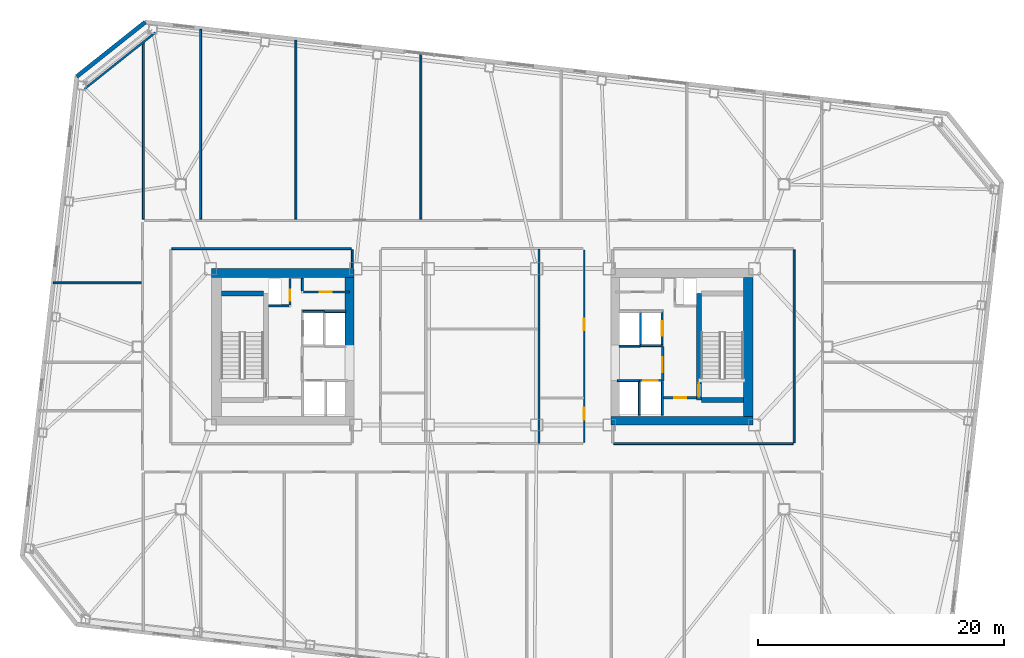
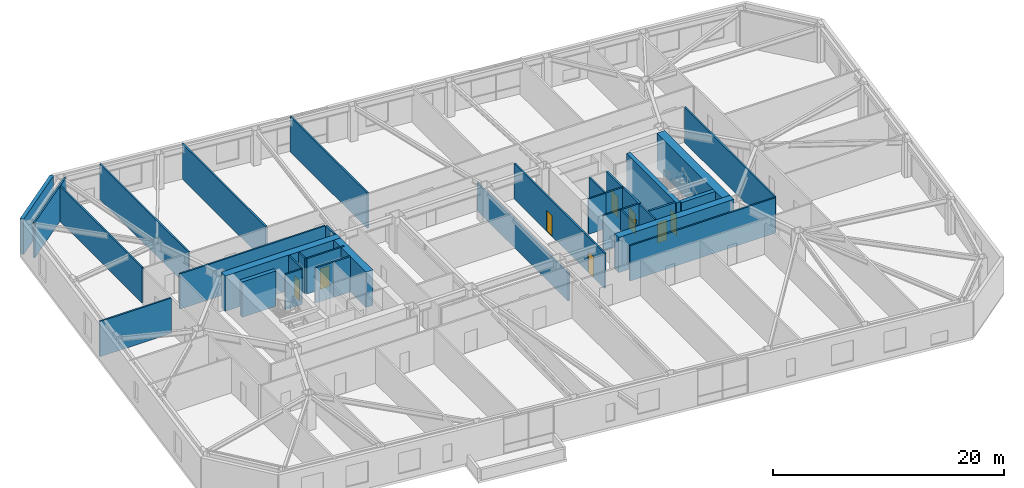
# One storey, part 13 of 20: 36 walls, 9 doors, 9 openings.
"""IFC4 building model written with IfcOpenShell, lengths in metres."""

from ifc_helpers import new_model, si_unit, direction, frame, frame_2d, origin, place, context, subcontext, project, spatial, rectangle, extrude, material, layer, layer_set, type_object, element, fill, save


model = new_model("IFC4")

# Units and contexts
model_context = context("Model", 3, precision=1e-05, world=origin(), true_north=direction((0.0, 1.0)))
body_context = subcontext(model_context, "Body", "Model", "MODEL_VIEW")
ifc_project = project(units=[si_unit("LENGTHUNIT", "METRE"), si_unit("AREAUNIT", "SQUARE_METRE"), si_unit("VOLUMEUNIT", "CUBIC_METRE"), si_unit("PLANEANGLEUNIT", "RADIAN"), si_unit("MASSUNIT", "GRAM", prefix="KILO")], contexts=[model_context])

# Site, building, storey
site_placement = place(None, origin())
site = spatial("IfcSite", under=ifc_project, at=site_placement, CompositionType="ELEMENT")
building_placement = place(site_placement, origin())
building = spatial("IfcBuilding", under=site, at=building_placement, Name="Tavrogorsk Clinical Tower", CompositionType="ELEMENT")
storey_placement = place(building_placement, frame((0.0, 0.0, 105.39990234375)))
storey = spatial("IfcBuildingStorey", under=building, at=storey_placement, Name="L23", CompositionType="ELEMENT", Elevation=105.39990234375)

# Wall, opening, door
ifc_material_1 = material(Name="Concrete B60", Category="concrete")
ifc_layer_1 = layer(ifc_material_1, 0.199951171875)
ifc_layer_set_1 = layer_set([ifc_layer_1], Name="Concrete B60")
wall_type_1 = type_object("IfcWallType", Name="CoreFireWall_200", PredefinedType="SOLIDWALL", material=ifc_layer_set_1)
wall_1_placement = place(storey_placement, frame((14.719970703125, -4.139892578125, 0.0), z_axis=(0.0, 0.0, 1.0), x_axis=(1.0, 0.0, 0.0)))
wall_1 = element("IfcWall", 1, at=wall_1_placement, inside=storey, type_object=wall_type_1, Name="L23 Core East South Core Room Fire Wall", PredefinedType="SOLIDWALL", context=body_context, shape_type="SweptSolid", body=[
    extrude(rectangle(XDim=2.659912109375, YDim=0.199951171875, at=frame_2d((1.330078125, 0.0))), origin(), (0.0, 0.0, 1.0), 3.739990234375),
])
opening_1_placement = place(wall_1_placement, frame((0.8798828125, 0.0, 0.0)))
opening_1 = element("IfcOpeningElement", 2, at=opening_1_placement, cuts=wall_1, Name="Opening ID-02", PredefinedType="OPENING", context=body_context, shape_type="SweptSolid", body=[
    extrude(rectangle(XDim=0.949951171875, YDim=2.199951171875, at=frame_2d((0.47509765625, 1.10009765625))), frame((0.0, 0.10986328125, 0.0), z_axis=(0.0, -1.0, 0.0), x_axis=(1.0, 0.0, 0.0)), (0.0, 0.0, 1.0), 0.219970703125),
])
ifc_material_2 = material(Name="Laminated timber leaf on aluminium frame", Category="wood")
door_type_1 = type_object("IfcDoorType", Name="InteriorDoor_ID02_950", OperationType="NOTDEFINED", PredefinedType="DOOR", material=ifc_material_2)
door_1_placement = place(opening_1_placement, origin())
door_1 = element("IfcDoor", 3, at=door_1_placement, inside=storey, type_object=door_type_1, Name="L23 Core East South Core Room Door", OperationType="SINGLE_SWING_RIGHT", OverallHeight=2.199951171875, OverallWidth=0.949951171875, PredefinedType="DOOR", context=body_context, shape_type="SweptSolid", body=[
    extrude(rectangle(XDim=0.949951171875, YDim=2.199951171875, at=frame_2d((0.47509765625, 1.10009765625))), frame((0.0, 0.02490234375, 0.0), z_axis=(0.0, -1.0, 0.0), x_axis=(1.0, 0.0, 0.0)), (0.0, 0.0, 1.0), 0.050048828125),
])
fill(opening_1, door_1)

wall_2_placement = place(storey_placement, frame((14.639892578125, -2.780029296875, 0.0), z_axis=(0.0, 0.0, 1.0), x_axis=(0.0, 1.0, 0.0)))
wall_2 = element("IfcWall", 4, at=wall_2_placement, inside=storey, type_object=wall_type_1, Name="L23 Core East Firefighting Lobby Fire Wall", PredefinedType="SOLIDWALL", context=body_context, shape_type="SweptSolid", body=[
    extrude(rectangle(XDim=2.820068359375, YDim=0.199951171875, at=frame_2d((1.41015625, 0.0))), origin(), (0.0, 0.0, 1.0), 3.739990234375),
])
opening_2_placement = place(wall_2_placement, frame((0.72998046875, 0.0, 0.0)))
opening_2 = element("IfcOpeningElement", 5, at=opening_2_placement, cuts=wall_2, Name="Opening FD-01", PredefinedType="OPENING", context=body_context, shape_type="SweptSolid", body=[
    extrude(rectangle(XDim=1.199951171875, YDim=2.199951171875, at=frame_2d((0.60009765625, 1.10009765625))), frame((0.0, 0.10986328125, 0.0), z_axis=(0.0, -1.0, 0.0), x_axis=(1.0, 0.0, 0.0)), (0.0, 0.0, 1.0), 0.219970703125),
])
ifc_material_3 = material(Name="Galvanised steel fire-rated door assembly", Category="steel")
door_type_2 = type_object("IfcDoorType", Name="FireDoor_FD01_1200", OperationType="NOTDEFINED", PredefinedType="DOOR", material=ifc_material_3)
door_2_placement = place(opening_2_placement, origin())
door_2 = element("IfcDoor", 6, at=door_2_placement, inside=storey, type_object=door_type_2, Name="L23 Core East Firefighting Lobby Entry Door", OperationType="SINGLE_SWING_RIGHT", OverallHeight=2.199951171875, OverallWidth=1.199951171875, PredefinedType="DOOR", context=body_context, shape_type="SweptSolid", body=[
    extrude(rectangle(XDim=1.199951171875, YDim=2.199951171875, at=frame_2d((0.60009765625, 1.10009765625))), frame((0.0, 0.02490234375, 0.0), z_axis=(0.0, -1.0, 0.0), x_axis=(1.0, 0.0, 0.0)), (0.0, 0.0, 1.0), 0.050048828125),
])
fill(opening_2, door_2)

ifc_material_4 = material(Name="Lightweight concrete blockwork B15", Category="masonry")
ifc_layer_2 = layer(ifc_material_4, 0.159912109375)
ifc_layer_set_2 = layer_set([ifc_layer_2], Name="Lightweight concrete blockwork B15")
wall_type_2 = type_object("IfcWallType", Name="PartitionWall_160", PredefinedType="PARTITIONING", material=ifc_layer_set_2)
wall_3_placement = place(storey_placement, frame((-14.554931640625, 4.4599609375, 0.0), z_axis=(0.0, 0.0, 1.0), x_axis=(1.0, 0.0, 0.0)))
wall_3 = element("IfcWall", 7, at=wall_3_placement, inside=storey, type_object=wall_type_2, Name="L23 Core West Pneumatic Dispatch South Wall", PredefinedType="PARTITIONING", context=body_context, shape_type="SweptSolid", body=[
    extrude(rectangle(XDim=3.7548828125, YDim=0.159912109375, at=frame_2d((1.87744140625, 0.0))), origin(), (0.0, 0.0, 1.0), 3.739990234375),
])
opening_3_placement = place(wall_3_placement, frame((1.35009765625, 0.0, 0.0)))
opening_3 = element("IfcOpeningElement", 8, at=opening_3_placement, cuts=wall_3, Name="Opening ID-02", PredefinedType="OPENING", context=body_context, shape_type="SweptSolid", body=[
    extrude(rectangle(XDim=0.949951171875, YDim=2.199951171875, at=frame_2d((0.47509765625, 1.10009765625))), frame((0.0, 0.08984375, 0.0), z_axis=(0.0, -1.0, 0.0), x_axis=(1.0, 0.0, 0.0)), (0.0, 0.0, 1.0), 0.179931640625),
])
door_3_placement = place(opening_3_placement, origin())
door_3 = element("IfcDoor", 9, at=door_3_placement, inside=storey, type_object=door_type_1, Name="L23 Core West Pneumatic Dispatch Door", OperationType="SINGLE_SWING_LEFT", OverallHeight=2.199951171875, OverallWidth=0.949951171875, PredefinedType="DOOR", context=body_context, shape_type="SweptSolid", body=[
    extrude(rectangle(XDim=0.949951171875, YDim=2.199951171875, at=frame_2d((0.47509765625, 1.10009765625))), frame((0.0, 0.02490234375, 0.0), z_axis=(0.0, -1.0, 0.0), x_axis=(1.0, 0.0, 0.0)), (0.0, 0.0, 1.0), 0.050048828125),
])
fill(opening_3, door_3)

# Walls
wall_4_placement = place(storey_placement, frame((-14.639892578125, 4.544921875, 0.0), z_axis=(0.0, 0.0, 1.0), x_axis=(0.0, 1.0, 0.0)))
element("IfcWall", 10, at=wall_4_placement, inside=storey, type_object=wall_type_2, Name="L23 Core West Pneumatic Dispatch East Wall", PredefinedType="PARTITIONING", context=body_context, shape_type="SweptSolid", body=[
    extrude(rectangle(XDim=1.01513671875, YDim=0.159912109375, at=frame_2d((0.507568359375, 0.0))), origin(), (0.0, 0.0, 1.0), 3.739990234375),
])
wall_5_placement = place(storey_placement, frame((-26.5712890625, 25.534912109375, 0.0), z_axis=(0.0, 0.0, 1.0), x_axis=(-0.782617962887, -0.622502308564, 0.0)))
element("IfcWall", 11, at=wall_5_placement, inside=storey, type_object=wall_type_2, Name="L23 Corner Exoskeleton Brace Furring Wall 3", PredefinedType="PARTITIONING", context=body_context, shape_type="SweptSolid", body=[
    extrude(rectangle(XDim=7.35400390625, YDim=0.159912109375, at=frame_2d((3.677001953125, 0.0))), origin(), (0.0, 0.0, 1.0), 3.739990234375),
])
wall_6_placement = place(storey_placement, frame((10.6650390625, -7.8701171875, 0.0), z_axis=(0.0, 0.0, 1.0), x_axis=(1.0, 0.0, 0.0)))
element("IfcWall", 12, at=wall_6_placement, inside=storey, type_object=wall_type_2, Name="L23 Corridor Partition 08", PredefinedType="PARTITIONING", context=body_context, shape_type="SweptSolid", body=[
    extrude(rectangle(XDim=14.570068359375, YDim=0.159912109375, at=frame_2d((7.28515625, 0.0))), origin(), (0.0, 0.0, 1.0), 3.739990234375),
])
wall_7_placement = place(storey_placement, frame((25.320068359375, -7.784912109375, 0.0), z_axis=(0.0, 0.0, 1.0), x_axis=(0.0, 1.0, 0.0)))
element("IfcWall", 13, at=wall_7_placement, inside=storey, type_object=wall_type_2, Name="L23 Corridor Partition 09", PredefinedType="PARTITIONING", context=body_context, shape_type="SweptSolid", body=[
    extrude(rectangle(XDim=15.669921875, YDim=0.159912109375, at=frame_2d((7.8349609375, 0.0))), origin(), (0.0, 0.0, 1.0), 3.739990234375),
])

# Wall, openings, doors
wall_8_placement = place(storey_placement, frame((8.27001953125, -7.784912109375, 0.0), z_axis=(0.0, 0.0, 1.0), x_axis=(0.0, 1.0, 0.0)))
wall_8 = element("IfcWall", 14, at=wall_8_placement, inside=storey, type_object=wall_type_2, Name="L23 Corridor Partition 10", PredefinedType="PARTITIONING", context=body_context, shape_type="SweptSolid", body=[
    extrude(rectangle(XDim=15.669921875, YDim=0.159912109375, at=frame_2d((7.8349609375, 0.0))), origin(), (0.0, 0.0, 1.0), 3.739990234375),
])
opening_4_placement = place(wall_8_placement, frame((1.879150390625, 0.0, 0.0)))
opening_4 = element("IfcOpeningElement", 15, at=opening_4_placement, cuts=wall_8, Name="Opening ID-02", PredefinedType="OPENING", context=body_context, shape_type="SweptSolid", body=[
    extrude(rectangle(XDim=0.949951171875, YDim=2.199951171875, at=frame_2d((0.47509765625, 1.10009765625))), frame((0.0, 0.08984375, 0.0), z_axis=(0.0, -1.0, 0.0), x_axis=(1.0, 0.0, 0.0)), (0.0, 0.0, 1.0), 0.179931640625),
])
opening_5_placement = place(wall_8_placement, frame((9.11083984375, 0.0, 0.0)))
opening_5 = element("IfcOpeningElement", 16, at=opening_5_placement, cuts=wall_8, Name="Opening ID-02", PredefinedType="OPENING", context=body_context, shape_type="SweptSolid", body=[
    extrude(rectangle(XDim=0.949951171875, YDim=2.199951171875, at=frame_2d((0.47509765625, 1.10009765625))), frame((0.0, 0.08984375, 0.0), z_axis=(0.0, -1.0, 0.0), x_axis=(1.0, 0.0, 0.0)), (0.0, 0.0, 1.0), 0.179931640625),
])
door_4_placement = place(opening_4_placement, origin())
door_4 = element("IfcDoor", 17, at=door_4_placement, inside=storey, type_object=door_type_1, Name="L23 Staff & Visitor Accessible WC Door", OperationType="SINGLE_SWING_LEFT", OverallHeight=2.199951171875, OverallWidth=0.949951171875, PredefinedType="DOOR", context=body_context, shape_type="SweptSolid", body=[
    extrude(rectangle(XDim=0.949951171875, YDim=2.199951171875, at=frame_2d((0.47509765625, 1.10009765625))), frame((0.0, 0.02490234375, 0.0), z_axis=(0.0, -1.0, 0.0), x_axis=(1.0, 0.0, 0.0)), (0.0, 0.0, 1.0), 0.050048828125),
])
fill(opening_4, door_4)
door_5_placement = place(opening_5_placement, origin())
door_5 = element("IfcDoor", 18, at=door_5_placement, inside=storey, type_object=door_type_1, Name="L23 Attending Physician Office Door", OperationType="SINGLE_SWING_RIGHT", OverallHeight=2.199951171875, OverallWidth=0.949951171875, PredefinedType="DOOR", context=body_context, shape_type="SweptSolid", body=[
    extrude(rectangle(XDim=0.949951171875, YDim=2.199951171875, at=frame_2d((0.47509765625, 1.10009765625))), frame((0.0, 0.02490234375, 0.0), z_axis=(0.0, -1.0, 0.0), x_axis=(1.0, 0.0, 0.0)), (0.0, 0.0, 1.0), 0.050048828125),
])
fill(opening_5, door_5)

# Walls
wall_9_placement = place(storey_placement, frame((-10.580078125, 6.419921875, 0.0), z_axis=(0.0, 0.0, 1.0), x_axis=(0.0, 1.0, 0.0)))
element("IfcWall", 19, at=wall_9_placement, inside=storey, type_object=wall_type_2, Name="L23 Corridor Partition 15", PredefinedType="PARTITIONING", context=body_context, shape_type="SweptSolid", body=[
    extrude(rectangle(XDim=1.465087890625, YDim=0.159912109375, at=frame_2d((0.732421875, 0.0))), origin(), (0.0, 0.0, 1.0), 3.739990234375),
])
wall_10_placement = place(storey_placement, frame((-10.6650390625, 7.969970703125, 0.0), z_axis=(0.0, 0.0, 1.0), x_axis=(-1.0, 0.0, 0.0)))
element("IfcWall", 20, at=wall_10_placement, inside=storey, type_object=wall_type_2, Name="L23 Corridor Partition 16", PredefinedType="PARTITIONING", context=body_context, shape_type="SweptSolid", body=[
    extrude(rectangle(XDim=14.570068359375, YDim=0.159912109375, at=frame_2d((7.28515625, 0.0))), origin(), (0.0, 0.0, 1.0), 3.739990234375),
])
wall_11_placement = place(storey_placement, frame((-27.550048828125, 10.364990234375, 0.0), z_axis=(0.0, 0.0, 1.0), x_axis=(0.0, 1.0, 0.0)))
element("IfcWall", 21, at=wall_11_placement, inside=storey, type_object=wall_type_2, Name="L23 NW Wing Closure Partition", PredefinedType="PARTITIONING", context=body_context, shape_type="SweptSolid", body=[
    extrude(rectangle(XDim=14.40869140625, YDim=0.159912109375, at=frame_2d((7.204345703125, 0.0))), origin(), (0.0, 0.0, 1.0), 3.739990234375),
])
wall_12_placement = place(storey_placement, frame((-22.89990234375, 10.364990234375, 0.0), z_axis=(0.0, 0.0, 1.0), x_axis=(0.0, 1.0, 0.0)))
element("IfcWall", 22, at=wall_12_placement, inside=storey, type_object=wall_type_2, Name="L23 North Room Partition 1", PredefinedType="PARTITIONING", context=body_context, shape_type="SweptSolid", body=[
    extrude(rectangle(XDim=15.4365234375, YDim=0.159912109375, at=frame_2d((7.71826171875, 0.0))), origin(), (0.0, 0.0, 1.0), 3.739990234375),
])
wall_13_placement = place(storey_placement, frame((-15.159912109375, 10.364990234375, 0.0), z_axis=(0.0, 0.0, 1.0), x_axis=(0.0, 1.0, 0.0)))
element("IfcWall", 23, at=wall_13_placement, inside=storey, type_object=wall_type_2, Name="L23 North Room Partition 2", PredefinedType="PARTITIONING", context=body_context, shape_type="SweptSolid", body=[
    extrude(rectangle(XDim=14.5546875, YDim=0.159912109375, at=frame_2d((7.27734375, 0.0))), origin(), (0.0, 0.0, 1.0), 3.739990234375),
])
wall_14_placement = place(storey_placement, frame((-5.0, 10.364990234375, 0.0), z_axis=(0.0, 0.0, 1.0), x_axis=(0.0, 1.0, 0.0)))
element("IfcWall", 24, at=wall_14_placement, inside=storey, type_object=wall_type_2, Name="L23 North Room Partition 3", PredefinedType="PARTITIONING", context=body_context, shape_type="SweptSolid", body=[
    extrude(rectangle(XDim=13.39697265625, YDim=0.159912109375, at=frame_2d((6.698486328125, 0.0))), origin(), (0.0, 0.0, 1.0), 3.739990234375),
])
wall_15_placement = place(storey_placement, frame((-34.857177734375, 5.199951171875, 0.0), z_axis=(0.0, 0.0, 1.0), x_axis=(1.0, 0.0, 0.0)))
element("IfcWall", 25, at=wall_15_placement, inside=storey, type_object=wall_type_2, Name="L23 W Wing Divider 3", PredefinedType="PARTITIONING", context=body_context, shape_type="SweptSolid", body=[
    extrude(rectangle(XDim=7.14208984375, YDim=0.159912109375, at=frame_2d((3.571044921875, 0.0))), origin(), (0.0, 0.0, 1.0), 3.739990234375),
])
ifc_material_5 = material(Name="Lightweight concrete blockwork B20", Category="masonry")
ifc_layer_3 = layer(ifc_material_5, 0.179931640625)
ifc_layer_set_3 = layer_set([ifc_layer_3], Name="Lightweight concrete blockwork B20")
wall_type_3 = type_object("IfcWallType", Name="PartitionWall_180", PredefinedType="PARTITIONING", material=ifc_layer_set_3)
wall_16_placement = place(storey_placement, frame((4.60009765625, -7.864990234375, 0.0), z_axis=(0.0, 0.0, 1.0), x_axis=(0.0, 1.0, 0.0)))
element("IfcWall", 26, at=wall_16_placement, inside=storey, type_object=wall_type_3, Name="L23 Central Spine Partition 2", PredefinedType="PARTITIONING", context=body_context, shape_type="SweptSolid", body=[
    extrude(rectangle(XDim=15.830078125, YDim=0.179931640625, at=frame_2d((7.9150390625, 0.0))), origin(), (0.0, 0.0, 1.0), 2.93505859375),
])
ifc_material_6 = material(Name="Precast concrete B45 with limestone cladding", Category="masonry")
ifc_layer_4 = layer(ifc_material_6, 0.340087890625)
ifc_layer_set_4 = layer_set([ifc_layer_4], Name="Precast concrete B45 with limestone cladding")
wall_type_4 = type_object("IfcWallType", Name="PrecastLimestoneWall_340", PredefinedType="STANDARD", material=ifc_layer_set_4)
wall_17_placement = place(storey_placement, frame((-27.40087890625, 26.384765625, 0.0), z_axis=(0.0, 0.0, 1.0), x_axis=(-0.78261359446, -0.622507800567, 0.0)))
element("IfcWall", 27, at=wall_17_placement, inside=storey, type_object=wall_type_4, Name="L23 Chamfered Corner Wall 3", PredefinedType="STANDARD", context=body_context, shape_type="SweptSolid", body=[
    extrude(rectangle(XDim=7.113525390625, YDim=0.340087890625, at=frame_2d((3.556640625, 0.0))), origin(), (0.0, 0.0, 1.0), 3.739990234375),
])
ifc_material_7 = material(Name="Lightweight concrete blockwork B25", Category="masonry")
ifc_layer_5 = layer(ifc_material_7, 0.159912109375)
ifc_layer_set_5 = layer_set([ifc_layer_5], Name="Lightweight concrete blockwork B25")
wall_type_5 = type_object("IfcWallType", Name="ShaftWall_160", PredefinedType="PARTITIONING", material=ifc_layer_set_5)
wall_18_placement = place(storey_placement, frame((-14.60009765625, 2.8798828125, 0.0), z_axis=(0.0, 0.0, 1.0), x_axis=(1.0, 0.0, 0.0)))
element("IfcWall", 28, at=wall_18_placement, inside=storey, type_object=wall_type_5, Name="L23 FFL-W Shaft North Wall", PredefinedType="PARTITIONING", context=body_context, shape_type="SweptSolid", body=[
    extrude(rectangle(XDim=1.760009765625, YDim=0.159912109375, at=frame_2d((0.8798828125, 0.0))), origin(), (0.0, 0.0, 1.0), 3.739990234375),
])
wall_19_placement = place(storey_placement, frame((-12.820068359375, 2.860107421875, 0.0), z_axis=(0.0, 0.0, 1.0), x_axis=(1.0, 0.0, 0.0)))
element("IfcWall", 29, at=wall_19_placement, inside=storey, type_object=wall_type_5, Name="L23 LP-H1 High-Zone Lift Rear Wall", PredefinedType="PARTITIONING", context=body_context, shape_type="SweptSolid", body=[
    extrude(rectangle(XDim=1.719970703125, YDim=0.159912109375, at=frame_2d((0.85986328125, 0.0))), origin(), (0.0, 0.0, 1.0), 3.739990234375),
])

# Wall, opening, door
wall_20_placement = place(storey_placement, frame((14.60009765625, 0.1201171875, 0.0), z_axis=(0.0, 0.0, 1.0), x_axis=(0.0, 1.0, 0.0)))
wall_20 = element("IfcWall", 30, at=wall_20_placement, inside=storey, type_object=wall_type_5, Name="L23 FFL-E Firefighting Lift Front Wall", PredefinedType="PARTITIONING", context=body_context, shape_type="SweptSolid", body=[
    extrude(rectangle(XDim=2.739990234375, YDim=0.159912109375, at=frame_2d((1.3701171875, 0.0))), origin(), (0.0, 0.0, 1.0), 3.739990234375),
])
opening_6_placement = place(wall_20_placement, frame((0.77001953125, 0.0, 0.0)))
opening_6 = element("IfcOpeningElement", 31, at=opening_6_placement, cuts=wall_20, Name="Opening LD", PredefinedType="OPENING", context=body_context, shape_type="SweptSolid", body=[
    extrude(rectangle(XDim=1.199951171875, YDim=2.199951171875, at=frame_2d((0.60009765625, 1.10009765625))), frame((0.0, 0.08984375, 0.0), z_axis=(0.0, -1.0, 0.0), x_axis=(1.0, 0.0, 0.0)), (0.0, 0.0, 1.0), 0.179931640625),
])
ifc_material_8 = material(Name="Brushed stainless steel AISI 304 sliding doors", Category="steel")
door_type_3 = type_object("IfcDoorType", Name="LiftLandingDoor_LD_1200", OperationType="SLIDING_TO_LEFT", PredefinedType="DOOR", material=ifc_material_8)
door_6_placement = place(opening_6_placement, origin())
door_6 = element("IfcDoor", 32, at=door_6_placement, inside=storey, type_object=door_type_3, Name="L23 FFL-E Sliding Lift Landing Door", OperationType="SLIDING_TO_LEFT", OverallHeight=2.199951171875, OverallWidth=1.199951171875, PredefinedType="DOOR", context=body_context, shape_type="SweptSolid", body=[
    extrude(rectangle(XDim=1.199951171875, YDim=2.199951171875, at=frame_2d((0.60009765625, 1.10009765625))), frame((0.0, 0.02490234375, 0.0), z_axis=(0.0, -1.0, 0.0), x_axis=(1.0, 0.0, 0.0)), (0.0, 0.0, 1.0), 0.050048828125),
])
fill(opening_6, door_6)

# Walls
wall_21_placement = place(storey_placement, frame((12.840087890625, 0.10009765625, 0.0), z_axis=(0.0, 0.0, 1.0), x_axis=(1.0, 0.0, 0.0)))
element("IfcWall", 33, at=wall_21_placement, inside=storey, type_object=wall_type_5, Name="L23 FFL-E Shaft South Wall", PredefinedType="PARTITIONING", context=body_context, shape_type="SweptSolid", body=[
    extrude(rectangle(XDim=1.760009765625, YDim=0.159912109375, at=frame_2d((0.8798828125, 0.0))), origin(), (0.0, 0.0, 1.0), 3.739990234375),
])
wall_22_placement = place(storey_placement, frame((12.840087890625, 0.179931640625, 0.0), z_axis=(0.0, 0.0, 1.0), x_axis=(0.0, 1.0, 0.0)))
element("IfcWall", 34, at=wall_22_placement, inside=storey, type_object=wall_type_5, Name="L23 FFL-E Shaft Back Wall", PredefinedType="PARTITIONING", context=body_context, shape_type="SweptSolid", body=[
    extrude(rectangle(XDim=2.6201171875, YDim=0.159912109375, at=frame_2d((1.31005859375, 0.0))), origin(), (0.0, 0.0, 1.0), 3.739990234375),
])

# Wall, opening, door
wall_23_placement = place(storey_placement, frame((12.77001953125, -2.75, 0.0), z_axis=(0.0, 0.0, 1.0), x_axis=(1.0, 0.0, 0.0)))
wall_23 = element("IfcWall", 35, at=wall_23_placement, inside=storey, type_object=wall_type_5, Name="L23 LP-L2 Lift Shaft Portal Wall", PredefinedType="PARTITIONING", context=body_context, shape_type="SweptSolid", body=[
    extrude(rectangle(XDim=1.760009765625, YDim=0.159912109375, at=frame_2d((0.8798828125, 0.0))), origin(), (0.0, 0.0, 1.0), 3.739990234375),
])
opening_7_placement = place(wall_23_placement, frame((0.280029296875, 0.0, 0.0)))
opening_7 = element("IfcOpeningElement", 36, at=opening_7_placement, cuts=wall_23, Name="Opening LD", PredefinedType="OPENING", context=body_context, shape_type="SweptSolid", body=[
    extrude(rectangle(XDim=1.199951171875, YDim=2.199951171875, at=frame_2d((0.60009765625, 1.10009765625))), frame((0.0, 0.08984375, 0.0), z_axis=(0.0, -1.0, 0.0), x_axis=(1.0, 0.0, 0.0)), (0.0, 0.0, 1.0), 0.179931640625),
])
door_7_placement = place(opening_7_placement, origin())
door_7 = element("IfcDoor", 37, at=door_7_placement, inside=storey, type_object=door_type_3, Name="L23 LP-L2 Sliding Lift Landing Door", OperationType="SLIDING_TO_LEFT", OverallHeight=2.199951171875, OverallWidth=1.199951171875, PredefinedType="DOOR", context=body_context, shape_type="SweptSolid", body=[
    extrude(rectangle(XDim=1.199951171875, YDim=2.199951171875, at=frame_2d((0.60009765625, 1.10009765625))), frame((0.0, 0.02490234375, 0.0), z_axis=(0.0, -1.0, 0.0), x_axis=(1.0, 0.0, 0.0)), (0.0, 0.0, 1.0), 0.050048828125),
])
fill(opening_7, door_7)

# Walls
for number, where, z_axis, x_axis, name in (
    (38, (12.75, -5.5400390625, 0.0), (0.0, 0.0, 1.0), (0.0, 1.0, 0.0), "L23 LP-L2 Lift Hoistway Divider Wall"),
    (39, (14.610107421875, -5.5400390625, 0.0), (0.0, 0.0, 1.0), (0.0, 1.0, 0.0), "L23 LP-L2 Lift Hoistway Outer Cheek Wall"),
):
    element("IfcWall", number, at=place(storey_placement, frame(where, z_axis=z_axis, x_axis=x_axis)), inside=storey, type_object=wall_type_5, Name=name, PredefinedType="PARTITIONING", context=body_context, shape_type="SweptSolid", body=[
        extrude(rectangle(XDim=2.699951171875, YDim=0.159912109375, at=frame_2d((1.35009765625, 0.0))), origin(), (0.0, 0.0, 1.0), 3.739990234375),
    ])
wall_24_placement = place(storey_placement, frame((10.969970703125, -2.75, 0.0), z_axis=(0.0, 0.0, 1.0), x_axis=(1.0, 0.0, 0.0)))
element("IfcWall", 40, at=wall_24_placement, inside=storey, type_object=wall_type_5, Name="L23 LP-M2 Lift Shaft Portal Wall", PredefinedType="PARTITIONING", context=body_context, shape_type="SweptSolid", body=[
    extrude(rectangle(XDim=1.760009765625, YDim=0.159912109375, at=frame_2d((0.8798828125, 0.0))), origin(), (0.0, 0.0, 1.0), 3.739990234375),
])
wall_25_placement = place(storey_placement, frame((11.10009765625, 0.06005859375, 0.0), z_axis=(0.0, 0.0, 1.0), x_axis=(1.0, 0.0, 0.0)))
element("IfcWall", 41, at=wall_25_placement, inside=storey, type_object=wall_type_5, Name="L23 LP-H2 High-Zone Lift Portal Wall", PredefinedType="PARTITIONING", context=body_context, shape_type="SweptSolid", body=[
    extrude(rectangle(XDim=1.719970703125, YDim=0.159912109375, at=frame_2d((0.85986328125, 0.0))), origin(), (0.0, 0.0, 1.0), 3.739990234375),
])

# Wall, opening, door
wall_26_placement = place(storey_placement, frame((-15.639892578125, 3.405029296875, 0.0), z_axis=(0.0, 0.0, 1.0), x_axis=(0.0, 1.0, 0.0)))
wall_26 = element("IfcWall", 42, at=wall_26_placement, inside=storey, type_object=wall_type_5, Name="L23 Core West Riser West Wall", PredefinedType="PARTITIONING", context=body_context, shape_type="SweptSolid", body=[
    extrude(rectangle(XDim=2.155029296875, YDim=0.159912109375, at=frame_2d((1.07763671875, 0.0))), origin(), (0.0, 0.0, 1.0), 3.739990234375),
])
opening_8_placement = place(wall_26_placement, frame((0.35009765625, 0.0, 0.0)))
opening_8 = element("IfcOpeningElement", 43, at=opening_8_placement, cuts=wall_26, Name="Opening FD-02", PredefinedType="OPENING", context=body_context, shape_type="SweptSolid", body=[
    extrude(rectangle(XDim=0.89990234375, YDim=2.199951171875, at=frame_2d((0.449951171875, 1.10009765625))), frame((0.0, 0.08984375, 0.0), z_axis=(0.0, -1.0, 0.0), x_axis=(1.0, 0.0, 0.0)), (0.0, 0.0, 1.0), 0.179931640625),
])
ifc_material_9 = material(Name="Galvanised steel fire-rated door assembly", Category="steel")
door_type_4 = type_object("IfcDoorType", Name="FireDoor_FD02_900", OperationType="NOTDEFINED", PredefinedType="DOOR", material=ifc_material_9)
door_8_placement = place(opening_8_placement, origin())
door_8 = element("IfcDoor", 44, at=door_8_placement, inside=storey, type_object=door_type_4, Name="L23 Core West Electrical Riser Access Door", OperationType="SINGLE_SWING_LEFT", OverallHeight=2.199951171875, OverallWidth=0.89990234375, PredefinedType="DOOR", context=body_context, shape_type="SweptSolid", body=[
    extrude(rectangle(XDim=0.89990234375, YDim=2.199951171875, at=frame_2d((0.449951171875, 1.10009765625))), frame((0.0, 0.02490234375, 0.0), z_axis=(0.0, -1.0, 0.0), x_axis=(1.0, 0.0, 0.0)), (0.0, 0.0, 1.0), 0.050048828125),
])
fill(opening_8, door_8)

# Walls
wall_27_placement = place(storey_placement, frame((-17.3798828125, 3.320068359375, 0.0), z_axis=(0.0, 0.0, 1.0), x_axis=(1.0, 0.0, 0.0)))
element("IfcWall", 45, at=wall_27_placement, inside=storey, type_object=wall_type_5, Name="L23 Core West Riser South Wall", PredefinedType="PARTITIONING", context=body_context, shape_type="SweptSolid", body=[
    extrude(rectangle(XDim=1.65478515625, YDim=0.159912109375, at=frame_2d((0.827392578125, 0.0))), origin(), (0.0, 0.0, 1.0), 3.739990234375),
])
ifc_material_10 = material(Name="Concrete B80", Category="concrete")
ifc_layer_6 = layer(ifc_material_10, 0.39990234375)
ifc_layer_set_6 = layer_set([ifc_layer_6], Name="Concrete B80")
wall_type_6 = type_object("IfcWallType", Name="ShearWall_400", PredefinedType="SHEAR", material=ifc_layer_set_6)
wall_28_placement = place(storey_placement, frame((-21.199951171875, 4.324951171875, 0.0), z_axis=(0.0, 0.0, 1.0), x_axis=(1.0, 0.0, 0.0)))
element("IfcWall", 46, at=wall_28_placement, inside=storey, type_object=wall_type_6, Name="L23 Core West Stair Shaft North Shear Wall", PredefinedType="SHEAR", context=body_context, shape_type="SweptSolid", body=[
    extrude(rectangle(XDim=3.39990234375, YDim=0.39990234375, at=frame_2d((1.699951171875, 0.0))), origin(), (0.0, 0.0, 1.0), 3.739990234375),
])

# Wall, opening, door
wall_29_placement = place(storey_placement, frame((17.60009765625, -4.324951171875, 0.0), z_axis=(0.0, 0.0, 1.0), x_axis=(0.0, 1.0, 0.0)))
wall_29 = element("IfcWall", 47, at=wall_29_placement, inside=storey, type_object=wall_type_6, Name="L23 Core East Stair Shaft Inner Shear Wall", PredefinedType="SHEAR", context=body_context, shape_type="SweptSolid", body=[
    extrude(rectangle(XDim=8.64990234375, YDim=0.39990234375, at=frame_2d((4.324951171875, 0.0))), origin(), (0.0, 0.0, 1.0), 3.739990234375),
])
opening_9_placement = place(wall_29_placement, frame((0.25, 0.0, 0.0)))
opening_9 = element("IfcOpeningElement", 48, at=opening_9_placement, cuts=wall_29, Name="Opening SD-01", PredefinedType="OPENING", context=body_context, shape_type="SweptSolid", body=[
    extrude(rectangle(XDim=1.10009765625, YDim=2.199951171875, at=frame_2d((0.550048828125, 1.10009765625))), frame((0.0, 0.2099609375, 0.0), z_axis=(0.0, -1.0, 0.0), x_axis=(1.0, 0.0, 0.0)), (0.0, 0.0, 1.0), 0.419921875),
])
ifc_material_11 = material(Name="Galvanised steel smoke-tight fire door assembly", Category="steel")
door_type_5 = type_object("IfcDoorType", Name="StairFireDoor_SD01_1100", OperationType="NOTDEFINED", PredefinedType="DOOR", material=ifc_material_11)
door_9_placement = place(opening_9_placement, origin())
door_9 = element("IfcDoor", 49, at=door_9_placement, inside=storey, type_object=door_type_5, Name="L23 ST-E Exit Stair Door", OperationType="SINGLE_SWING_LEFT", OverallHeight=2.199951171875, OverallWidth=1.10009765625, PredefinedType="DOOR", context=body_context, shape_type="SweptSolid", body=[
    extrude(rectangle(XDim=1.10009765625, YDim=2.199951171875, at=frame_2d((0.550048828125, 1.10009765625))), frame((0.0, 0.02490234375, 0.0), z_axis=(0.0, -1.0, 0.0), x_axis=(1.0, 0.0, 0.0)), (0.0, 0.0, 1.0), 0.050048828125),
])
fill(opening_9, door_9)

# Walls
wall_30_placement = place(storey_placement, frame((17.800048828125, -4.324951171875, 0.0), z_axis=(0.0, 0.0, 1.0), x_axis=(1.0, 0.0, 0.0)))
element("IfcWall", 50, at=wall_30_placement, inside=storey, type_object=wall_type_6, Name="L23 Core East Stair Shaft South Shear Wall", PredefinedType="SHEAR", context=body_context, shape_type="SweptSolid", body=[
    extrude(rectangle(XDim=3.39990234375, YDim=0.39990234375, at=frame_2d((1.699951171875, 0.0))), origin(), (0.0, 0.0, 1.0), 3.739990234375),
])
ifc_material_12 = material(Name="Concrete B80", Category="concrete")
ifc_layer_7 = layer(ifc_material_12, 0.699951171875)
ifc_layer_set_7 = layer_set([ifc_layer_7], Name="Concrete B80")
wall_type_7 = type_object("IfcWallType", Name="ShearWall_700", PredefinedType="SHEAR", material=ifc_layer_set_7)
wall_31_placement = place(storey_placement, frame((-22.0, 6.0, 0.0), z_axis=(0.0, 0.0, 1.0), x_axis=(1.0, 0.0, 0.0)))
element("IfcWall", 51, at=wall_31_placement, inside=storey, type_object=wall_type_7, Name="L23 Core West North Shear Wall", PredefinedType="SHEAR", context=body_context, shape_type="SweptSolid", body=[
    extrude(rectangle(XDim=11.550048828125, YDim=0.699951171875, at=frame_2d((5.77490234375, 0.0))), origin(), (0.0, 0.0, 1.0), 3.739990234375),
])
wall_32_placement = place(storey_placement, frame((-10.800048828125, 0.050048828125, 0.0), z_axis=(0.0, 0.0, 1.0), x_axis=(0.0, 1.0, 0.0)))
element("IfcWall", 52, at=wall_32_placement, inside=storey, type_object=wall_type_7, Name="L23 Core West Inner North Pier", PredefinedType="SHEAR", context=body_context, shape_type="SweptSolid", body=[
    extrude(rectangle(XDim=5.599853515625, YDim=0.699951171875, at=frame_2d((2.7998046875, 0.0))), origin(), (0.0, 0.0, 1.0), 3.739990234375),
])
wall_33_placement = place(storey_placement, frame((10.449951171875, -6.0, 0.0), z_axis=(0.0, 0.0, 1.0), x_axis=(1.0, 0.0, 0.0)))
element("IfcWall", 53, at=wall_33_placement, inside=storey, type_object=wall_type_7, Name="L23 Core East South Shear Wall", PredefinedType="SHEAR", context=body_context, shape_type="SweptSolid", body=[
    extrude(rectangle(XDim=11.550048828125, YDim=0.699951171875, at=frame_2d((5.77490234375, 0.0))), origin(), (0.0, 0.0, 1.0), 3.739990234375),
])
ifc_material_13 = material(Name="Concrete B80", Category="concrete")
ifc_layer_8 = layer(ifc_material_13, 0.800048828125)
ifc_layer_set_8 = layer_set([ifc_layer_8], Name="Concrete B80")
wall_type_8 = type_object("IfcWallType", Name="ShearWall_800", PredefinedType="SHEAR", material=ifc_layer_set_8)
wall_34_placement = place(storey_placement, frame((21.60009765625, -5.64990234375, 0.0), z_axis=(0.0, 0.0, 1.0), x_axis=(0.0, 1.0, 0.0)))
element("IfcWall", 54, at=wall_34_placement, inside=storey, type_object=wall_type_8, Name="L23 Core East End Shear Wall", PredefinedType="SHEAR", context=body_context, shape_type="SweptSolid", body=[
    extrude(rectangle(XDim=11.2998046875, YDim=0.800048828125, at=frame_2d((5.64990234375, 0.0))), origin(), (0.0, 0.0, 1.0), 3.739990234375),
])

save(model, "model.ifc")
